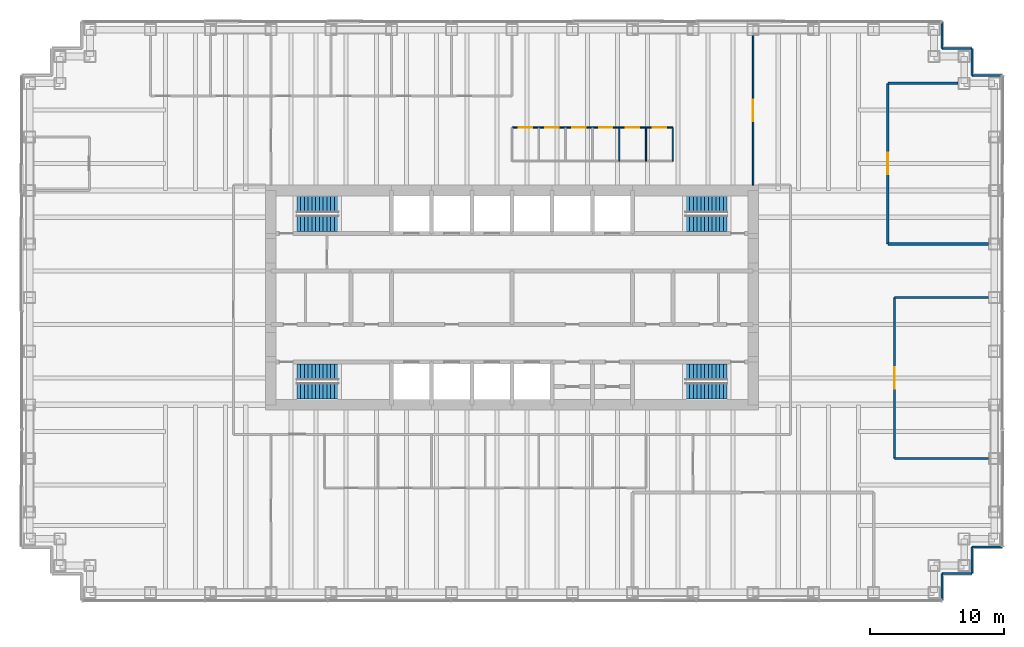
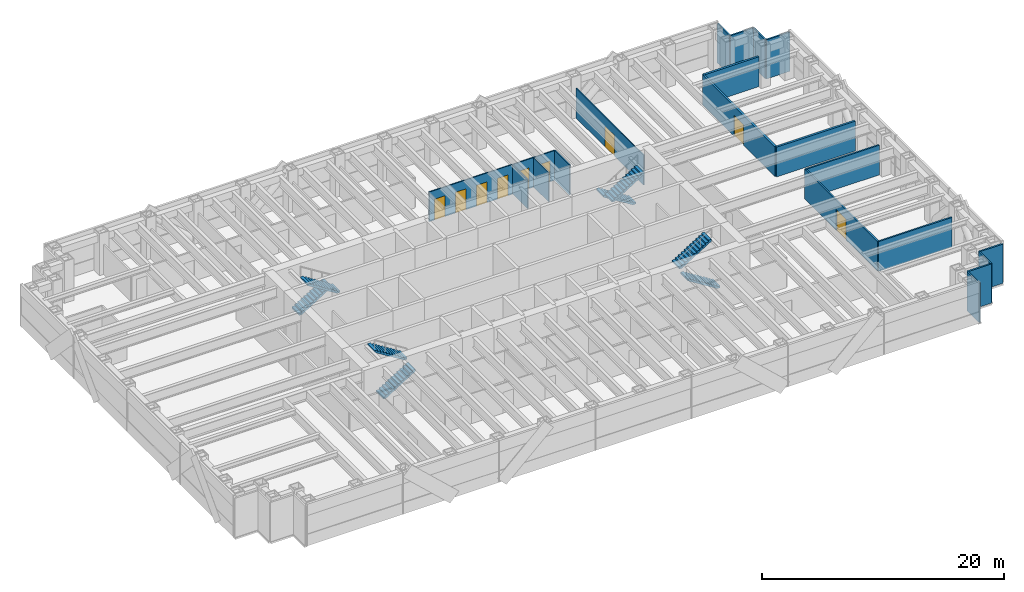
# One storey, part 11 of 12: 19 walls, 9 doors, 8 stair flights, 9 openings, 4 elements without a shape of their own.
"""IFC4 building model written with IfcOpenShell, lengths in metres."""

from ifc_helpers import new_model, si_unit, direction, frame, frame_2d, origin, place, context, subcontext, project, spatial, polyline, rectangle, outline, extrude, material, layer, layer_set, type_object, element, fill, aggregate, save


model = new_model("IFC4")

# Units and contexts
model_context = context("Model", 3, precision=1e-05, world=origin(), true_north=direction((0.0, 1.0)))
body_context = subcontext(model_context, "Body", "Model", "MODEL_VIEW")
ifc_project = project(units=[si_unit("LENGTHUNIT", "METRE"), si_unit("AREAUNIT", "SQUARE_METRE"), si_unit("VOLUMEUNIT", "CUBIC_METRE"), si_unit("PLANEANGLEUNIT", "RADIAN"), si_unit("MASSUNIT", "GRAM", prefix="KILO")], contexts=[model_context])

# Site, building, storey
site_placement = place(None, origin())
site = spatial("IfcSite", under=ifc_project, at=site_placement, CompositionType="ELEMENT")
building_placement = place(site_placement, origin())
building = spatial("IfcBuilding", under=site, at=building_placement, Name="Rheinbord Bourse Tower", CompositionType="ELEMENT")
storey_placement = place(building_placement, frame((0.0, 0.0, 261.39990234375)))
storey = spatial("IfcBuildingStorey", under=building, at=storey_placement, Name="L59", CompositionType="ELEMENT", Elevation=261.39990234375)

# Walls
ifc_material_1 = material(Name="Acoustic gypsum board partition", Category="gypsum board")
ifc_layer_1 = layer(ifc_material_1, 0.199951171875)
ifc_layer_set_1 = layer_set([ifc_layer_1], Name="ACOUSTIC PARTITION 200")
wall_type_1 = type_object("IfcWallType", Name="ACOUSTIC PARTITION 200", PredefinedType="PARTITIONING", material=ifc_layer_set_1)
wall_1_placement = place(storey_placement, frame((64.050048828125, 28.0, 0.0), z_axis=(0.0, 0.0, 1.0), x_axis=(1.0, 0.0, 0.0)))
element("IfcWall", 1, at=wall_1_placement, inside=storey, type_object=wall_type_1, Name="Partition L59-06", PredefinedType="PARTITIONING", context=body_context, shape_type="SweptSolid", body=[
    extrude(rectangle(XDim=7.5, YDim=0.199951171875, at=frame_2d((3.75, 0.0))), origin(), (0.0, 0.0, 1.0), 3.0),
])
wall_2_placement = place(storey_placement, frame((64.050048828125, 40.0, 0.0), z_axis=(0.0, 0.0, 1.0), x_axis=(1.0, 0.0, 0.0)))
element("IfcWall", 2, at=wall_2_placement, inside=storey, type_object=wall_type_1, Name="Partition L59-14", PredefinedType="PARTITIONING", context=body_context, shape_type="SweptSolid", body=[
    extrude(rectangle(XDim=5.25, YDim=0.199951171875, at=frame_2d((2.625, 0.0))), origin(), (0.0, 0.0, 1.0), 3.0),
])

# Wall, opening, door
wall_3_placement = place(storey_placement, frame((64.050048828125, 28.0, 0.0), z_axis=(0.0, 0.0, 1.0), x_axis=(0.0, 1.0, 0.0)))
wall_3 = element("IfcWall", 3, at=wall_3_placement, inside=storey, type_object=wall_type_1, Name="Partition L59-45", PredefinedType="PARTITIONING", context=body_context, shape_type="SweptSolid", body=[
    extrude(rectangle(XDim=12.0, YDim=0.199951171875, at=frame_2d((6.0, 0.0))), origin(), (0.0, 0.0, 1.0), 3.0),
])
opening_1_placement = place(wall_3_placement, frame((5.199951171875, 0.0, 0.0)))
opening_1 = element("IfcOpeningElement", 4, at=opening_1_placement, cuts=wall_3, Name="Opening 59D10", PredefinedType="OPENING", context=body_context, shape_type="SweptSolid", body=[
    extrude(rectangle(XDim=1.60009765625, YDim=2.10009765625, at=frame_2d((0.800048828125, 1.050048828125))), frame((0.0, 0.10986328125, 0.0), z_axis=(0.0, -1.0, 0.0), x_axis=(1.0, 0.0, 0.0)), (0.0, 0.0, 1.0), 0.219970703125),
])
ifc_material_2 = material(Name="Timber door", Category="wood")
door_type_1 = type_object("IfcDoorType", Name="DOUBLE ROOM DOOR 1600", OperationType="DOUBLE_DOOR_DOUBLE_SWING", PredefinedType="DOOR", material=ifc_material_2)
door_1_placement = place(opening_1_placement, origin())
door_1 = element("IfcDoor", 5, at=door_1_placement, inside=storey, type_object=door_type_1, Name="Conference room door L59", OperationType="SINGLE_SWING_LEFT", OverallHeight=2.10009765625, OverallWidth=1.60009765625, PredefinedType="DOOR", context=body_context, shape_type="SweptSolid", body=[
    extrude(rectangle(XDim=1.60009765625, YDim=2.10009765625, at=frame_2d((0.800048828125, 1.050048828125))), frame((0.0, 0.02490234375, 0.0), z_axis=(0.0, -1.0, 0.0), x_axis=(1.0, 0.0, 0.0)), (0.0, 0.0, 1.0), 0.050048828125),
])
fill(opening_1, door_1)

# Walls
ifc_material_3 = material(Name="Black metal rainscreen panel", Category="aluminium")
ifc_layer_2 = layer(ifc_material_3, 0.14990234375)
ifc_layer_set_2 = layer_set([ifc_layer_2], Name="CORNER PIER CLADDING 150")
wall_type_2 = type_object("IfcWallType", Name="CORNER PIER CLADDING 150", PredefinedType="ELEMENTEDWALL", material=ifc_layer_set_2)
wall_4_placement = place(storey_placement, frame((68.10009765625, 1.39990234375, 0.0), z_axis=(0.0, 0.0, 1.0), x_axis=(0.0, 1.0, 0.0)))
element("IfcWall", 6, at=wall_4_placement, inside=storey, type_object=wall_type_2, Name="Corner pier cladding L59 2", PredefinedType="ELEMENTEDWALL", context=body_context, shape_type="SweptSolid", body=[
    extrude(rectangle(XDim=2.0, YDim=0.14990234375, at=frame_2d((1.0, 0.0))), origin(), (0.0, 0.0, 1.0), 3.9501953125),
])
wall_5_placement = place(storey_placement, frame((68.10009765625, 3.39990234375, 0.0), z_axis=(0.0, 0.0, 1.0), x_axis=(1.0, 0.0, 0.0)))
element("IfcWall", 7, at=wall_5_placement, inside=storey, type_object=wall_type_2, Name="Corner pier cladding L59 3", PredefinedType="ELEMENTEDWALL", context=body_context, shape_type="SweptSolid", body=[
    extrude(rectangle(XDim=2.25, YDim=0.14990234375, at=frame_2d((1.125, 0.0))), origin(), (0.0, 0.0, 1.0), 3.9501953125),
])
wall_6_placement = place(storey_placement, frame((70.35009765625, 3.39990234375, 0.0), z_axis=(0.0, 0.0, 1.0), x_axis=(0.0, 1.0, 0.0)))
element("IfcWall", 8, at=wall_6_placement, inside=storey, type_object=wall_type_2, Name="Corner pier cladding L59 4", PredefinedType="ELEMENTEDWALL", context=body_context, shape_type="SweptSolid", body=[
    extrude(rectangle(XDim=2.0, YDim=0.14990234375, at=frame_2d((1.0, 0.0))), origin(), (0.0, 0.0, 1.0), 3.9501953125),
])
for number, where, z_axis, x_axis, name in (
    (9, (70.35009765625, 5.39990234375, 0.0), (0.0, 0.0, 1.0), (1.0, 0.0, 0.0), "Corner pier cladding L59 5"),
    (10, (72.60009765625, 40.60009765625, 0.0), (0.0, 0.0, 1.0), (-1.0, 0.0, 0.0), "Corner pier cladding L59 7"),
):
    element("IfcWall", number, at=place(storey_placement, frame(where, z_axis=z_axis, x_axis=x_axis)), inside=storey, type_object=wall_type_2, Name=name, PredefinedType="ELEMENTEDWALL", context=body_context, shape_type="SweptSolid", body=[
        extrude(rectangle(XDim=2.25, YDim=0.14990234375, at=frame_2d((1.125, 0.0))), origin(), (0.0, 0.0, 1.0), 3.9501953125),
    ])
wall_7_placement = place(storey_placement, frame((70.35009765625, 40.60009765625, 0.0), z_axis=(0.0, 0.0, 1.0), x_axis=(0.0, 1.0, 0.0)))
element("IfcWall", 11, at=wall_7_placement, inside=storey, type_object=wall_type_2, Name="Corner pier cladding L59 8", PredefinedType="ELEMENTEDWALL", context=body_context, shape_type="SweptSolid", body=[
    extrude(rectangle(XDim=2.0, YDim=0.14990234375, at=frame_2d((1.0, 0.0))), origin(), (0.0, 0.0, 1.0), 3.9501953125),
])
wall_8_placement = place(storey_placement, frame((70.35009765625, 42.60009765625, 0.0), z_axis=(0.0, 0.0, 1.0), x_axis=(-1.0, 0.0, 0.0)))
element("IfcWall", 12, at=wall_8_placement, inside=storey, type_object=wall_type_2, Name="Corner pier cladding L59 9", PredefinedType="ELEMENTEDWALL", context=body_context, shape_type="SweptSolid", body=[
    extrude(rectangle(XDim=2.25, YDim=0.14990234375, at=frame_2d((1.125, 0.0))), origin(), (0.0, 0.0, 1.0), 3.9501953125),
])
wall_9_placement = place(storey_placement, frame((68.10009765625, 42.60009765625, 0.0), z_axis=(0.0, 0.0, 1.0), x_axis=(0.0, 1.0, 0.0)))
element("IfcWall", 13, at=wall_9_placement, inside=storey, type_object=wall_type_2, Name="Corner pier cladding L59 10", PredefinedType="ELEMENTEDWALL", context=body_context, shape_type="SweptSolid", body=[
    extrude(rectangle(XDim=2.0, YDim=0.14990234375, at=frame_2d((1.0, 0.0))), origin(), (0.0, 0.0, 1.0), 3.9501953125),
])

# Wall, openings, doors
ifc_material_4 = material(Name="Toughened laminated glass partition", Category="glass")
ifc_layer_3 = layer(ifc_material_4, 0.10009765625)
ifc_layer_set_3 = layer_set([ifc_layer_3], Name="GLAZED PARTITION 100")
wall_type_3 = type_object("IfcWallType", Name="GLAZED PARTITION 100", PredefinedType="PARTITIONING", material=ifc_layer_set_3)
wall_10_placement = place(storey_placement, frame((36.0, 36.699951171875, 0.0), z_axis=(0.0, 0.0, 1.0), x_axis=(1.0, 0.0, 0.0)))
wall_10 = element("IfcWall", 14, at=wall_10_placement, inside=storey, type_object=wall_type_3, Name="Partition L59-12", PredefinedType="PARTITIONING", context=body_context, shape_type="SweptSolid", body=[
    extrude(rectangle(XDim=12.0, YDim=0.10009765625, at=frame_2d((6.0, 0.0))), origin(), (0.0, 0.0, 1.0), 3.0),
])
opening_2_placement = place(wall_10_placement, frame((0.5, 0.0, 0.0)))
opening_2 = element("IfcOpeningElement", 15, at=opening_2_placement, cuts=wall_10, Name="Opening 59D11", PredefinedType="OPENING", context=body_context, shape_type="SweptSolid", body=[
    extrude(rectangle(XDim=1.0, YDim=2.10009765625, at=frame_2d((0.5, 1.050048828125))), frame((0.0, 0.06005859375, 0.0), z_axis=(0.0, -1.0, 0.0), x_axis=(1.0, 0.0, 0.0)), (0.0, 0.0, 1.0), 0.1201171875),
])
opening_3_placement = place(wall_10_placement, frame((2.5, 0.0, 0.0)))
opening_3 = element("IfcOpeningElement", 16, at=opening_3_placement, cuts=wall_10, Name="Opening 59D12", PredefinedType="OPENING", context=body_context, shape_type="SweptSolid", body=[
    extrude(rectangle(XDim=1.0, YDim=2.10009765625, at=frame_2d((0.5, 1.050048828125))), frame((0.0, 0.06005859375, 0.0), z_axis=(0.0, -1.0, 0.0), x_axis=(1.0, 0.0, 0.0)), (0.0, 0.0, 1.0), 0.1201171875),
])
opening_4_placement = place(wall_10_placement, frame((4.5, 0.0, 0.0)))
opening_4 = element("IfcOpeningElement", 17, at=opening_4_placement, cuts=wall_10, Name="Opening 59D13", PredefinedType="OPENING", context=body_context, shape_type="SweptSolid", body=[
    extrude(rectangle(XDim=1.0, YDim=2.10009765625, at=frame_2d((0.5, 1.050048828125))), frame((0.0, 0.06005859375, 0.0), z_axis=(0.0, -1.0, 0.0), x_axis=(1.0, 0.0, 0.0)), (0.0, 0.0, 1.0), 0.1201171875),
])
opening_5_placement = place(wall_10_placement, frame((6.5, 0.0, 0.0)))
opening_5 = element("IfcOpeningElement", 18, at=opening_5_placement, cuts=wall_10, Name="Opening 59D14", PredefinedType="OPENING", context=body_context, shape_type="SweptSolid", body=[
    extrude(rectangle(XDim=1.0, YDim=2.10009765625, at=frame_2d((0.5, 1.050048828125))), frame((0.0, 0.06005859375, 0.0), z_axis=(0.0, -1.0, 0.0), x_axis=(1.0, 0.0, 0.0)), (0.0, 0.0, 1.0), 0.1201171875),
])
opening_6_placement = place(wall_10_placement, frame((8.5, 0.0, 0.0)))
opening_6 = element("IfcOpeningElement", 19, at=opening_6_placement, cuts=wall_10, Name="Opening 59D15", PredefinedType="OPENING", context=body_context, shape_type="SweptSolid", body=[
    extrude(rectangle(XDim=1.0, YDim=2.10009765625, at=frame_2d((0.5, 1.050048828125))), frame((0.0, 0.06005859375, 0.0), z_axis=(0.0, -1.0, 0.0), x_axis=(1.0, 0.0, 0.0)), (0.0, 0.0, 1.0), 0.1201171875),
])
opening_7_placement = place(wall_10_placement, frame((10.5, 0.0, 0.0)))
opening_7 = element("IfcOpeningElement", 20, at=opening_7_placement, cuts=wall_10, Name="Opening 59D16", PredefinedType="OPENING", context=body_context, shape_type="SweptSolid", body=[
    extrude(rectangle(XDim=1.0, YDim=2.10009765625, at=frame_2d((0.5, 1.050048828125))), frame((0.0, 0.06005859375, 0.0), z_axis=(0.0, -1.0, 0.0), x_axis=(1.0, 0.0, 0.0)), (0.0, 0.0, 1.0), 0.1201171875),
])
ifc_material_5 = material(Name="Timber door", Category="wood")
door_type_2 = type_object("IfcDoorType", Name="ROOM DOOR 1000", OperationType="SINGLE_SWING_LEFT", PredefinedType="DOOR", material=ifc_material_5)
door_2_placement = place(opening_2_placement, origin())
door_2 = element("IfcDoor", 21, at=door_2_placement, inside=storey, type_object=door_type_2, Name="Phone room door L59", OperationType="SINGLE_SWING_LEFT", OverallHeight=2.10009765625, OverallWidth=1.0, PredefinedType="DOOR", context=body_context, shape_type="SweptSolid", body=[
    extrude(rectangle(XDim=1.0, YDim=2.10009765625, at=frame_2d((0.5, 1.050048828125))), frame((0.0, 0.02490234375, 0.0), z_axis=(0.0, -1.0, 0.0), x_axis=(1.0, 0.0, 0.0)), (0.0, 0.0, 1.0), 0.050048828125),
])
fill(opening_2, door_2)
door_3_placement = place(opening_3_placement, origin())
door_3 = element("IfcDoor", 22, at=door_3_placement, inside=storey, type_object=door_type_2, Name="Phone room door L59", OperationType="SINGLE_SWING_LEFT", OverallHeight=2.10009765625, OverallWidth=1.0, PredefinedType="DOOR", context=body_context, shape_type="SweptSolid", body=[
    extrude(rectangle(XDim=1.0, YDim=2.10009765625, at=frame_2d((0.5, 1.050048828125))), frame((0.0, 0.02490234375, 0.0), z_axis=(0.0, -1.0, 0.0), x_axis=(1.0, 0.0, 0.0)), (0.0, 0.0, 1.0), 0.050048828125),
])
fill(opening_3, door_3)
door_4_placement = place(opening_4_placement, origin())
door_4 = element("IfcDoor", 23, at=door_4_placement, inside=storey, type_object=door_type_2, Name="Phone room door L59", OperationType="SINGLE_SWING_LEFT", OverallHeight=2.10009765625, OverallWidth=1.0, PredefinedType="DOOR", context=body_context, shape_type="SweptSolid", body=[
    extrude(rectangle(XDim=1.0, YDim=2.10009765625, at=frame_2d((0.5, 1.050048828125))), frame((0.0, 0.02490234375, 0.0), z_axis=(0.0, -1.0, 0.0), x_axis=(1.0, 0.0, 0.0)), (0.0, 0.0, 1.0), 0.050048828125),
])
fill(opening_4, door_4)
door_5_placement = place(opening_5_placement, origin())
door_5 = element("IfcDoor", 24, at=door_5_placement, inside=storey, type_object=door_type_2, Name="Phone room door L59", OperationType="SINGLE_SWING_RIGHT", OverallHeight=2.10009765625, OverallWidth=1.0, PredefinedType="DOOR", context=body_context, shape_type="SweptSolid", body=[
    extrude(rectangle(XDim=1.0, YDim=2.10009765625, at=frame_2d((0.5, 1.050048828125))), frame((0.0, 0.02490234375, 0.0), z_axis=(0.0, -1.0, 0.0), x_axis=(1.0, 0.0, 0.0)), (0.0, 0.0, 1.0), 0.050048828125),
])
fill(opening_5, door_5)
door_6_placement = place(opening_6_placement, origin())
door_6 = element("IfcDoor", 25, at=door_6_placement, inside=storey, type_object=door_type_2, Name="Phone room door L59", OperationType="SINGLE_SWING_RIGHT", OverallHeight=2.10009765625, OverallWidth=1.0, PredefinedType="DOOR", context=body_context, shape_type="SweptSolid", body=[
    extrude(rectangle(XDim=1.0, YDim=2.10009765625, at=frame_2d((0.5, 1.050048828125))), frame((0.0, 0.02490234375, 0.0), z_axis=(0.0, -1.0, 0.0), x_axis=(1.0, 0.0, 0.0)), (0.0, 0.0, 1.0), 0.050048828125),
])
fill(opening_6, door_6)
door_7_placement = place(opening_7_placement, origin())
door_7 = element("IfcDoor", 26, at=door_7_placement, inside=storey, type_object=door_type_2, Name="Phone room door L59", OperationType="SINGLE_SWING_RIGHT", OverallHeight=2.10009765625, OverallWidth=1.0, PredefinedType="DOOR", context=body_context, shape_type="SweptSolid", body=[
    extrude(rectangle(XDim=1.0, YDim=2.10009765625, at=frame_2d((0.5, 1.050048828125))), frame((0.0, 0.02490234375, 0.0), z_axis=(0.0, -1.0, 0.0), x_axis=(1.0, 0.0, 0.0)), (0.0, 0.0, 1.0), 0.050048828125),
])
fill(opening_7, door_7)

# Walls
for number, where, z_axis, x_axis, name in (
    (27, (44.0, 34.199951171875, 0.0), (0.0, 0.0, 1.0), (0.0, 1.0, 0.0), "Partition L59-36"),
    (28, (46.0, 34.199951171875, 0.0), (0.0, 0.0, 1.0), (0.0, 1.0, 0.0), "Partition L59-39"),
):
    element("IfcWall", number, at=place(storey_placement, frame(where, z_axis=z_axis, x_axis=x_axis)), inside=storey, type_object=wall_type_3, Name=name, PredefinedType="PARTITIONING", context=body_context, shape_type="SweptSolid", body=[
        extrude(rectangle(XDim=2.5, YDim=0.10009765625, at=frame_2d((1.25, 0.0))), origin(), (0.0, 0.0, 1.0), 2.942138671875),
    ])
wall_11_placement = place(storey_placement, frame((48.0, 34.199951171875, 0.0), z_axis=(0.0, 0.0, 1.0), x_axis=(0.0, 1.0, 0.0)))
element("IfcWall", 29, at=wall_11_placement, inside=storey, type_object=wall_type_3, Name="Partition L59-40", PredefinedType="PARTITIONING", context=body_context, shape_type="SweptSolid", body=[
    extrude(rectangle(XDim=2.5, YDim=0.10009765625, at=frame_2d((1.25, 0.0))), origin(), (0.0, 0.0, 1.0), 3.0),
])

# Wall, opening, door
wall_12_placement = place(storey_placement, frame((54.0, 32.39990234375, 0.0), z_axis=(0.0, 0.0, 1.0), x_axis=(0.0, 1.0, 0.0)))
wall_12 = element("IfcWall", 30, at=wall_12_placement, inside=storey, type_object=wall_type_3, Name="Partition L59-42", PredefinedType="PARTITIONING", context=body_context, shape_type="SweptSolid", body=[
    extrude(rectangle(XDim=11.150146484375, YDim=0.10009765625, at=frame_2d((5.5751953125, 0.0))), origin(), (0.0, 0.0, 1.0), 3.0),
])
opening_8_placement = place(wall_12_placement, frame((4.77490234375, 0.0, 0.0)))
opening_8 = element("IfcOpeningElement", 31, at=opening_8_placement, cuts=wall_12, Name="Opening 59D26", PredefinedType="OPENING", context=body_context, shape_type="SweptSolid", body=[
    extrude(rectangle(XDim=1.60009765625, YDim=2.10009765625, at=frame_2d((0.800048828125, 1.050048828125))), frame((0.0, 0.06005859375, 0.0), z_axis=(0.0, -1.0, 0.0), x_axis=(1.0, 0.0, 0.0)), (0.0, 0.0, 1.0), 0.1201171875),
])
door_8_placement = place(opening_8_placement, origin())
door_8 = element("IfcDoor", 32, at=door_8_placement, inside=storey, type_object=door_type_1, Name="Open area door L59", OperationType="SINGLE_SWING_LEFT", OverallHeight=2.10009765625, OverallWidth=1.60009765625, PredefinedType="DOOR", context=body_context, shape_type="SweptSolid", body=[
    extrude(rectangle(XDim=1.60009765625, YDim=2.10009765625, at=frame_2d((0.800048828125, 1.050048828125))), frame((0.0, 0.02490234375, 0.0), z_axis=(0.0, -1.0, 0.0), x_axis=(1.0, 0.0, 0.0)), (0.0, 0.0, 1.0), 0.050048828125),
])
fill(opening_8, door_8)

# Walls
ifc_material_6 = material(Name="Gypsum board partition", Category="gypsum board")
ifc_layer_4 = layer(ifc_material_6, 0.14990234375)
ifc_layer_set_4 = layer_set([ifc_layer_4], Name="PARTITION 150")
wall_type_4 = type_object("IfcWallType", Name="PARTITION 150", PredefinedType="PARTITIONING", material=ifc_layer_set_4)
for number, where, z_axis, x_axis, name in (
    (33, (64.550048828125, 12.0, 0.0), (0.0, 0.0, 1.0), (1.0, 0.0, 0.0), "Partition L59-03"),
    (34, (64.550048828125, 24.0, 0.0), (0.0, 0.0, 1.0), (1.0, 0.0, 0.0), "Partition L59-05"),
):
    element("IfcWall", number, at=place(storey_placement, frame(where, z_axis=z_axis, x_axis=x_axis)), inside=storey, type_object=wall_type_4, Name=name, PredefinedType="PARTITIONING", context=body_context, shape_type="SweptSolid", body=[
        extrude(rectangle(XDim=7.0, YDim=0.14990234375, at=frame_2d((3.5, 0.0))), origin(), (0.0, 0.0, 1.0), 3.0),
    ])

# Wall, opening, door
wall_13_placement = place(storey_placement, frame((64.550048828125, 12.0, 0.0), z_axis=(0.0, 0.0, 1.0), x_axis=(0.0, 1.0, 0.0)))
wall_13 = element("IfcWall", 35, at=wall_13_placement, inside=storey, type_object=wall_type_4, Name="Partition L59-46", PredefinedType="PARTITIONING", context=body_context, shape_type="SweptSolid", body=[
    extrude(rectangle(XDim=12.0, YDim=0.14990234375, at=frame_2d((6.0, 0.0))), origin(), (0.0, 0.0, 1.0), 3.0),
])
opening_9_placement = place(wall_13_placement, frame((5.199951171875, 0.0, 0.0)))
opening_9 = element("IfcOpeningElement", 36, at=opening_9_placement, cuts=wall_13, Name="Opening 59D08", PredefinedType="OPENING", context=body_context, shape_type="SweptSolid", body=[
    extrude(rectangle(XDim=1.60009765625, YDim=2.10009765625, at=frame_2d((0.800048828125, 1.050048828125))), frame((0.0, 0.0849609375, 0.0), z_axis=(0.0, -1.0, 0.0), x_axis=(1.0, 0.0, 0.0)), (0.0, 0.0, 1.0), 0.169921875),
])
door_9_placement = place(opening_9_placement, origin())
door_9 = element("IfcDoor", 37, at=door_9_placement, inside=storey, type_object=door_type_1, Name="Kitchen door L59", OperationType="SINGLE_SWING_LEFT", OverallHeight=2.10009765625, OverallWidth=1.60009765625, PredefinedType="DOOR", context=body_context, shape_type="SweptSolid", body=[
    extrude(rectangle(XDim=1.60009765625, YDim=2.10009765625, at=frame_2d((0.800048828125, 1.050048828125))), frame((0.0, 0.02490234375, 0.0), z_axis=(0.0, -1.0, 0.0), x_axis=(1.0, 0.0, 0.0)), (0.0, 0.0, 1.0), 0.050048828125),
])
fill(opening_9, door_9)

# Stair, stair flights
ifc_material_7 = material(Name="Concrete C30/37", Category="concrete")
stair_type = type_object("IfcStairType", Name="CORE STAIR HALF TURN 4200", PredefinedType="HALF_TURN_STAIR", material=ifc_material_7)
stair_1_placement = place(storey_placement, origin())
stair_1 = element("IfcStair", 38, at=stair_1_placement, inside=storey, type_object=stair_type, Name="Stair ST1 L59, type CS6", PredefinedType="HALF_TURN_STAIR")
ifc_material_8 = material(Name="Concrete C30/37", Category="concrete")
stair_flight_type = type_object("IfcStairFlightType", Name="CORE STAIR FLIGHT 1200, 12 RISERS", PredefinedType="STRAIGHT", material=ifc_material_8)
stair_flight_1_placement = place(storey_placement, frame((19.949951171875, 17.050048828125, 0.0), z_axis=(0.0, 0.0, 1.0), x_axis=(1.0, 0.0, 0.0)))
stair_flight_1 = element("IfcStairFlight", 39, at=stair_flight_1_placement, type_object=stair_flight_type, Name="STAIR L59 ST1 F1", NumberOfRisers=12, NumberOfTreads=11, PredefinedType="STRAIGHT", RiserHeight=0.175, TreadLength=0.28, context=body_context, shape_type="SweptSolid", body=[
    extrude(outline(polyline([(0.0, 0.0), (0.0, 0.175048828125), (0.280029296875, 0.175048828125), (0.280029296875, 0.35009765625), (0.56005859375, 0.35009765625), (0.56005859375, 0.52490234375), (0.840087890625, 0.52490234375), (0.840087890625, 0.699951171875), (1.1201171875, 0.699951171875), (1.1201171875, 0.875), (1.39990234375, 0.875), (1.39990234375, 1.050048828125), (1.679931640625, 1.050048828125), (1.679931640625, 1.22509765625), (1.9599609375, 1.22509765625), (1.9599609375, 1.39990234375), (2.239990234375, 1.39990234375), (2.239990234375, 1.574951171875), (2.52001953125, 1.574951171875), (2.52001953125, 1.75), (2.800048828125, 1.75), (2.800048828125, 1.925048828125), (3.080078125, 1.925048828125), (3.080078125, 2.10009765625), (3.080078125, 1.748291015625), (0.28271484375, 0.0), (0.0, 0.0)])), frame((0.0, 0.60009765625, 0.0), z_axis=(0.0, -1.0, 0.0), x_axis=(1.0, 0.0, 0.0)), (0.0, 0.0, 1.0), 1.199951171875),
])
stair_flight_2_placement = place(storey_placement, frame((23.030029296875, 18.449951171875, 2.10009765625), z_axis=(0.0, 0.0, 1.0), x_axis=(-1.0, 0.0, 0.0)))
stair_flight_2 = element("IfcStairFlight", 40, at=stair_flight_2_placement, type_object=stair_flight_type, Name="STAIR L59 ST1 F2", NumberOfRisers=12, NumberOfTreads=11, PredefinedType="STRAIGHT", RiserHeight=0.175, TreadLength=0.28, context=body_context, shape_type="SweptSolid", body=[
    extrude(outline(polyline([(0.0, 0.0), (0.0, 0.175048828125), (0.280029296875, 0.175048828125), (0.280029296875, 0.35009765625), (0.56005859375, 0.35009765625), (0.56005859375, 0.52490234375), (0.840087890625, 0.52490234375), (0.840087890625, 0.699951171875), (1.1201171875, 0.699951171875), (1.1201171875, 0.875), (1.39990234375, 0.875), (1.39990234375, 1.050048828125), (1.679931640625, 1.050048828125), (1.679931640625, 1.22509765625), (1.9599609375, 1.22509765625), (1.9599609375, 1.39990234375), (2.239990234375, 1.39990234375), (2.239990234375, 1.574951171875), (2.52001953125, 1.574951171875), (2.52001953125, 1.75), (2.800048828125, 1.75), (2.800048828125, 1.925048828125), (3.080078125, 1.925048828125), (3.080078125, 2.10009765625), (3.080078125, 1.748291015625), (0.28271484375, 0.0), (0.0, 0.0)])), frame((0.0, 0.60009765625, 0.0), z_axis=(0.0, -1.0, 0.0), x_axis=(1.0, 0.0, 0.0)), (0.0, 0.0, 1.0), 1.199951171875),
])
aggregate(stair_1, [stair_flight_1, stair_flight_2])

stair_2_placement = place(storey_placement, origin())
stair_2 = element("IfcStair", 41, at=stair_2_placement, inside=storey, type_object=stair_type, Name="Stair ST2 L59, type CS6", PredefinedType="HALF_TURN_STAIR")
stair_flight_3_placement = place(storey_placement, frame((19.949951171875, 30.949951171875, 0.0), z_axis=(0.0, 0.0, 1.0), x_axis=(1.0, 0.0, 0.0)))
stair_flight_3 = element("IfcStairFlight", 42, at=stair_flight_3_placement, type_object=stair_flight_type, Name="STAIR L59 ST2 F1", NumberOfRisers=12, NumberOfTreads=11, PredefinedType="STRAIGHT", RiserHeight=0.175, TreadLength=0.28, context=body_context, shape_type="SweptSolid", body=[
    extrude(outline(polyline([(0.0, 0.0), (0.0, 0.175048828125), (0.280029296875, 0.175048828125), (0.280029296875, 0.35009765625), (0.56005859375, 0.35009765625), (0.56005859375, 0.52490234375), (0.840087890625, 0.52490234375), (0.840087890625, 0.699951171875), (1.1201171875, 0.699951171875), (1.1201171875, 0.875), (1.39990234375, 0.875), (1.39990234375, 1.050048828125), (1.679931640625, 1.050048828125), (1.679931640625, 1.22509765625), (1.9599609375, 1.22509765625), (1.9599609375, 1.39990234375), (2.239990234375, 1.39990234375), (2.239990234375, 1.574951171875), (2.52001953125, 1.574951171875), (2.52001953125, 1.75), (2.800048828125, 1.75), (2.800048828125, 1.925048828125), (3.080078125, 1.925048828125), (3.080078125, 2.10009765625), (3.080078125, 1.748291015625), (0.28271484375, 0.0), (0.0, 0.0)])), frame((0.0, 0.60009765625, 0.0), z_axis=(0.0, -1.0, 0.0), x_axis=(1.0, 0.0, 0.0)), (0.0, 0.0, 1.0), 1.199951171875),
])
stair_flight_4_placement = place(storey_placement, frame((23.030029296875, 29.550048828125, 2.10009765625), z_axis=(0.0, 0.0, 1.0), x_axis=(-1.0, 0.0, 0.0)))
stair_flight_4 = element("IfcStairFlight", 43, at=stair_flight_4_placement, type_object=stair_flight_type, Name="STAIR L59 ST2 F2", NumberOfRisers=12, NumberOfTreads=11, PredefinedType="STRAIGHT", RiserHeight=0.175, TreadLength=0.28, context=body_context, shape_type="SweptSolid", body=[
    extrude(outline(polyline([(0.0, 0.0), (0.0, 0.175048828125), (0.280029296875, 0.175048828125), (0.280029296875, 0.35009765625), (0.56005859375, 0.35009765625), (0.56005859375, 0.52490234375), (0.840087890625, 0.52490234375), (0.840087890625, 0.699951171875), (1.1201171875, 0.699951171875), (1.1201171875, 0.875), (1.39990234375, 0.875), (1.39990234375, 1.050048828125), (1.679931640625, 1.050048828125), (1.679931640625, 1.22509765625), (1.9599609375, 1.22509765625), (1.9599609375, 1.39990234375), (2.239990234375, 1.39990234375), (2.239990234375, 1.574951171875), (2.52001953125, 1.574951171875), (2.52001953125, 1.75), (2.800048828125, 1.75), (2.800048828125, 1.925048828125), (3.080078125, 1.925048828125), (3.080078125, 2.10009765625), (3.080078125, 1.748291015625), (0.28271484375, 0.0), (0.0, 0.0)])), frame((0.0, 0.60009765625, 0.0), z_axis=(0.0, -1.0, 0.0), x_axis=(1.0, 0.0, 0.0)), (0.0, 0.0, 1.0), 1.199951171875),
])
aggregate(stair_2, [stair_flight_3, stair_flight_4])

stair_3_placement = place(storey_placement, origin())
stair_3 = element("IfcStair", 44, at=stair_3_placement, inside=storey, type_object=stair_type, Name="Stair ST3 L59, type CS6", PredefinedType="HALF_TURN_STAIR")
stair_flight_5_placement = place(storey_placement, frame((52.050048828125, 17.050048828125, 0.0), z_axis=(0.0, 0.0, 1.0), x_axis=(-1.0, 0.0, 0.0)))
stair_flight_5 = element("IfcStairFlight", 45, at=stair_flight_5_placement, type_object=stair_flight_type, Name="STAIR L59 ST3 F1", NumberOfRisers=12, NumberOfTreads=11, PredefinedType="STRAIGHT", RiserHeight=0.175, TreadLength=0.28, context=body_context, shape_type="SweptSolid", body=[
    extrude(outline(polyline([(0.0, 0.0), (0.0, 0.175048828125), (0.280029296875, 0.175048828125), (0.280029296875, 0.35009765625), (0.56005859375, 0.35009765625), (0.56005859375, 0.52490234375), (0.840087890625, 0.52490234375), (0.840087890625, 0.699951171875), (1.1201171875, 0.699951171875), (1.1201171875, 0.875), (1.39990234375, 0.875), (1.39990234375, 1.050048828125), (1.679931640625, 1.050048828125), (1.679931640625, 1.22509765625), (1.9599609375, 1.22509765625), (1.9599609375, 1.39990234375), (2.239990234375, 1.39990234375), (2.239990234375, 1.574951171875), (2.52001953125, 1.574951171875), (2.52001953125, 1.75), (2.800048828125, 1.75), (2.800048828125, 1.925048828125), (3.080078125, 1.925048828125), (3.080078125, 2.10009765625), (3.080078125, 1.748291015625), (0.28271484375, 0.0), (0.0, 0.0)])), frame((0.0, 0.60009765625, 0.0), z_axis=(0.0, -1.0, 0.0), x_axis=(1.0, 0.0, 0.0)), (0.0, 0.0, 1.0), 1.199951171875),
])
stair_flight_6_placement = place(storey_placement, frame((48.969970703125, 18.449951171875, 2.10009765625), z_axis=(0.0, 0.0, 1.0), x_axis=(1.0, 0.0, 0.0)))
stair_flight_6 = element("IfcStairFlight", 46, at=stair_flight_6_placement, type_object=stair_flight_type, Name="STAIR L59 ST3 F2", NumberOfRisers=12, NumberOfTreads=11, PredefinedType="STRAIGHT", RiserHeight=0.175, TreadLength=0.28, context=body_context, shape_type="SweptSolid", body=[
    extrude(outline(polyline([(0.0, 0.0), (0.0, 0.175048828125), (0.280029296875, 0.175048828125), (0.280029296875, 0.35009765625), (0.56005859375, 0.35009765625), (0.56005859375, 0.52490234375), (0.840087890625, 0.52490234375), (0.840087890625, 0.699951171875), (1.1201171875, 0.699951171875), (1.1201171875, 0.875), (1.39990234375, 0.875), (1.39990234375, 1.050048828125), (1.679931640625, 1.050048828125), (1.679931640625, 1.22509765625), (1.9599609375, 1.22509765625), (1.9599609375, 1.39990234375), (2.239990234375, 1.39990234375), (2.239990234375, 1.574951171875), (2.52001953125, 1.574951171875), (2.52001953125, 1.75), (2.800048828125, 1.75), (2.800048828125, 1.925048828125), (3.080078125, 1.925048828125), (3.080078125, 2.10009765625), (3.080078125, 1.748291015625), (0.28271484375, 0.0), (0.0, 0.0)])), frame((0.0, 0.60009765625, 0.0), z_axis=(0.0, -1.0, 0.0), x_axis=(1.0, 0.0, 0.0)), (0.0, 0.0, 1.0), 1.199951171875),
])
aggregate(stair_3, [stair_flight_5, stair_flight_6])

stair_4_placement = place(storey_placement, origin())
stair_4 = element("IfcStair", 47, at=stair_4_placement, inside=storey, type_object=stair_type, Name="Stair ST4 L59, type CS6", PredefinedType="HALF_TURN_STAIR")
stair_flight_7_placement = place(storey_placement, frame((52.050048828125, 30.949951171875, 0.0), z_axis=(0.0, 0.0, 1.0), x_axis=(-1.0, 0.0, 0.0)))
stair_flight_7 = element("IfcStairFlight", 48, at=stair_flight_7_placement, type_object=stair_flight_type, Name="STAIR L59 ST4 F1", NumberOfRisers=12, NumberOfTreads=11, PredefinedType="STRAIGHT", RiserHeight=0.175, TreadLength=0.28, context=body_context, shape_type="SweptSolid", body=[
    extrude(outline(polyline([(0.0, 0.0), (0.0, 0.175048828125), (0.280029296875, 0.175048828125), (0.280029296875, 0.35009765625), (0.56005859375, 0.35009765625), (0.56005859375, 0.52490234375), (0.840087890625, 0.52490234375), (0.840087890625, 0.699951171875), (1.1201171875, 0.699951171875), (1.1201171875, 0.875), (1.39990234375, 0.875), (1.39990234375, 1.050048828125), (1.679931640625, 1.050048828125), (1.679931640625, 1.22509765625), (1.9599609375, 1.22509765625), (1.9599609375, 1.39990234375), (2.239990234375, 1.39990234375), (2.239990234375, 1.574951171875), (2.52001953125, 1.574951171875), (2.52001953125, 1.75), (2.800048828125, 1.75), (2.800048828125, 1.925048828125), (3.080078125, 1.925048828125), (3.080078125, 2.10009765625), (3.080078125, 1.748291015625), (0.28271484375, 0.0), (0.0, 0.0)])), frame((0.0, 0.60009765625, 0.0), z_axis=(0.0, -1.0, 0.0), x_axis=(1.0, 0.0, 0.0)), (0.0, 0.0, 1.0), 1.199951171875),
])
stair_flight_8_placement = place(storey_placement, frame((48.969970703125, 29.550048828125, 2.10009765625), z_axis=(0.0, 0.0, 1.0), x_axis=(1.0, 0.0, 0.0)))
stair_flight_8 = element("IfcStairFlight", 49, at=stair_flight_8_placement, type_object=stair_flight_type, Name="STAIR L59 ST4 F2", NumberOfRisers=12, NumberOfTreads=11, PredefinedType="STRAIGHT", RiserHeight=0.175, TreadLength=0.28, context=body_context, shape_type="SweptSolid", body=[
    extrude(outline(polyline([(0.0, 0.0), (0.0, 0.175048828125), (0.280029296875, 0.175048828125), (0.280029296875, 0.35009765625), (0.56005859375, 0.35009765625), (0.56005859375, 0.52490234375), (0.840087890625, 0.52490234375), (0.840087890625, 0.699951171875), (1.1201171875, 0.699951171875), (1.1201171875, 0.875), (1.39990234375, 0.875), (1.39990234375, 1.050048828125), (1.679931640625, 1.050048828125), (1.679931640625, 1.22509765625), (1.9599609375, 1.22509765625), (1.9599609375, 1.39990234375), (2.239990234375, 1.39990234375), (2.239990234375, 1.574951171875), (2.52001953125, 1.574951171875), (2.52001953125, 1.75), (2.800048828125, 1.75), (2.800048828125, 1.925048828125), (3.080078125, 1.925048828125), (3.080078125, 2.10009765625), (3.080078125, 1.748291015625), (0.28271484375, 0.0), (0.0, 0.0)])), frame((0.0, 0.60009765625, 0.0), z_axis=(0.0, -1.0, 0.0), x_axis=(1.0, 0.0, 0.0)), (0.0, 0.0, 1.0), 1.199951171875),
])
aggregate(stair_4, [stair_flight_7, stair_flight_8])

save(model, "model.ifc")
